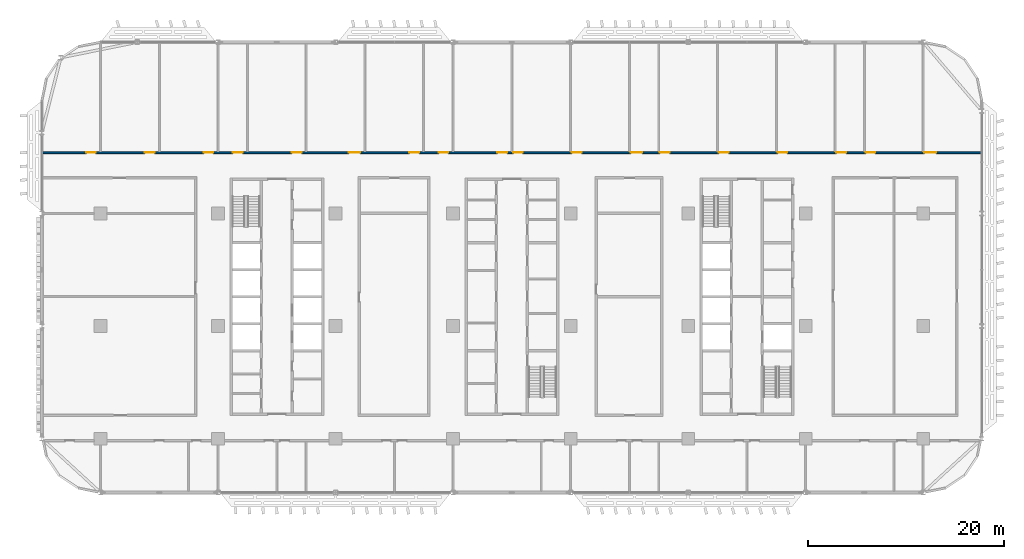
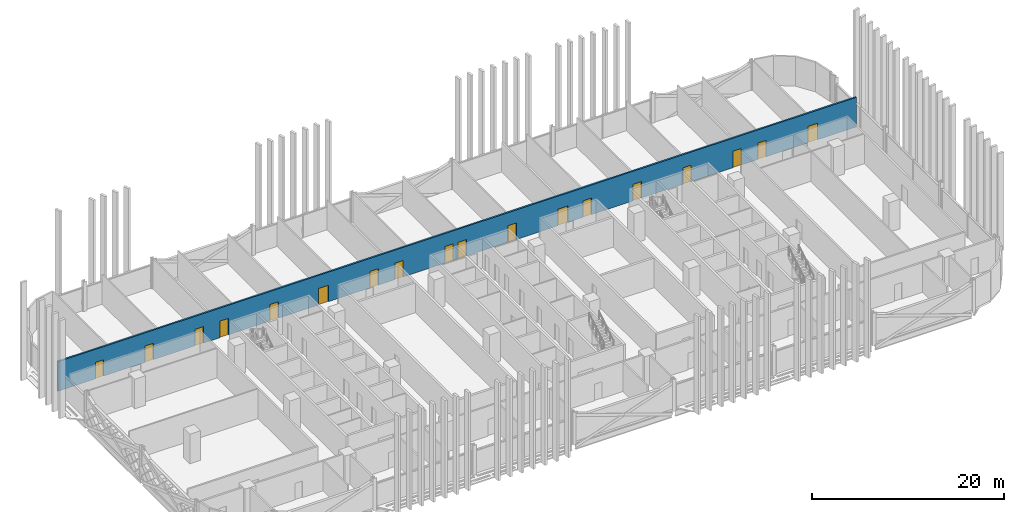
# One storey, part 16 of 32: 18 doors, 1 wall, 18 openings.
"""IFC4 building model written with IfcOpenShell, lengths in metres."""

from ifc_helpers import new_model, si_unit, direction, frame, frame_2d, origin, place, context, subcontext, project, spatial, rectangle, extrude, material, layer, layer_set, type_object, element, fill, save


model = new_model("IFC4")

# Units and contexts
model_context = context("Model", 3, precision=1e-05, world=origin(), true_north=direction((0.0, 1.0)))
body_context = subcontext(model_context, "Body", "Model", "MODEL_VIEW")
ifc_project = project(units=[si_unit("LENGTHUNIT", "METRE"), si_unit("AREAUNIT", "SQUARE_METRE"), si_unit("VOLUMEUNIT", "CUBIC_METRE"), si_unit("PLANEANGLEUNIT", "RADIAN"), si_unit("MASSUNIT", "GRAM", prefix="KILO")], contexts=[model_context])

# Site, building, storey
site_placement = place(None, origin())
site = spatial("IfcSite", under=ifc_project, at=site_placement, CompositionType="ELEMENT")
building_placement = place(site_placement, origin())
building = spatial("IfcBuilding", under=site, at=building_placement, Name="Mahtab Terrace Research Tower", CompositionType="ELEMENT")
storey_placement = place(building_placement, frame((0.0, 0.0, 138.39990234375)))
storey = spatial("IfcBuildingStorey", under=building, at=storey_placement, Name="L32", CompositionType="ELEMENT", Elevation=138.39990234375)

# Wall, openings, doors
ifc_material_1 = material(Name="Gypsum board corridor wall on steel studs", Category="steel")
ifc_layer = layer(ifc_material_1, 0.199951171875)
ifc_layer_set = layer_set([ifc_layer], Name="WALL CORRIDOR 200")
wall_type = type_object("IfcWallType", Name="WALL CORRIDOR 200", PredefinedType="PARTITIONING", material=ifc_layer_set)
wall_placement = place(storey_placement, frame((-47.97509765625, 17.699951171875, 0.0), z_axis=(0.0, 0.0, 1.0), x_axis=(1.0, 0.0, 0.0)))
wall = element("IfcWall", 1, at=wall_placement, inside=storey, type_object=wall_type, Name="L32-W026", PredefinedType="PARTITIONING", context=body_context, shape_type="SweptSolid", body=[
    extrude(rectangle(XDim=95.9501953125, YDim=0.199951171875, at=frame_2d((47.97509765625, 0.0))), origin(), (0.0, 0.0, 1.0), 3.760009765625),
])
opening_1_placement = place(wall_placement, frame((4.5, 0.0, 0.0)))
opening_1 = element("IfcOpeningElement", 2, at=opening_1_placement, cuts=wall, Name="Opening L32-129", PredefinedType="OPENING", context=body_context, shape_type="SweptSolid", body=[
    extrude(rectangle(XDim=1.0, YDim=2.10009765625, at=frame_2d((0.5, 1.050048828125))), frame((0.0, 0.10986328125, 0.0), z_axis=(0.0, -1.0, 0.0), x_axis=(1.0, 0.0, 0.0)), (0.0, 0.0, 1.0), 0.219970703125),
])
opening_2_placement = place(wall_placement, frame((10.5, 0.0, 0.0)))
opening_2 = element("IfcOpeningElement", 3, at=opening_2_placement, cuts=wall, Name="Opening L32-130", PredefinedType="OPENING", context=body_context, shape_type="SweptSolid", body=[
    extrude(rectangle(XDim=1.0, YDim=2.10009765625, at=frame_2d((0.5, 1.050048828125))), frame((0.0, 0.10986328125, 0.0), z_axis=(0.0, -1.0, 0.0), x_axis=(1.0, 0.0, 0.0)), (0.0, 0.0, 1.0), 0.219970703125),
])
opening_3_placement = place(wall_placement, frame((16.5, 0.0, 0.0)))
opening_3 = element("IfcOpeningElement", 4, at=opening_3_placement, cuts=wall, Name="Opening L32-131", PredefinedType="OPENING", context=body_context, shape_type="SweptSolid", body=[
    extrude(rectangle(XDim=1.0, YDim=2.10009765625, at=frame_2d((0.5, 1.050048828125))), frame((0.0, 0.10986328125, 0.0), z_axis=(0.0, -1.0, 0.0), x_axis=(1.0, 0.0, 0.0)), (0.0, 0.0, 1.0), 0.219970703125),
])
opening_4_placement = place(wall_placement, frame((19.5, 0.0, 0.0)))
opening_4 = element("IfcOpeningElement", 5, at=opening_4_placement, cuts=wall, Name="Opening L32-132", PredefinedType="OPENING", context=body_context, shape_type="SweptSolid", body=[
    extrude(rectangle(XDim=1.0, YDim=2.10009765625, at=frame_2d((0.5, 1.050048828125))), frame((0.0, 0.10986328125, 0.0), z_axis=(0.0, -1.0, 0.0), x_axis=(1.0, 0.0, 0.0)), (0.0, 0.0, 1.0), 0.219970703125),
])
opening_5_placement = place(wall_placement, frame((25.5, 0.0, 0.0)))
opening_5 = element("IfcOpeningElement", 6, at=opening_5_placement, cuts=wall, Name="Opening L32-133", PredefinedType="OPENING", context=body_context, shape_type="SweptSolid", body=[
    extrude(rectangle(XDim=1.0, YDim=2.10009765625, at=frame_2d((0.5, 1.050048828125))), frame((0.0, 0.10986328125, 0.0), z_axis=(0.0, -1.0, 0.0), x_axis=(1.0, 0.0, 0.0)), (0.0, 0.0, 1.0), 0.219970703125),
])
opening_6_placement = place(wall_placement, frame((31.300048828125, 0.0, 0.0)))
opening_6 = element("IfcOpeningElement", 7, at=opening_6_placement, cuts=wall, Name="Opening L32-134", PredefinedType="OPENING", context=body_context, shape_type="SweptSolid", body=[
    extrude(rectangle(XDim=1.199951171875, YDim=2.10009765625, at=frame_2d((0.60009765625, 1.050048828125))), frame((0.0, 0.10986328125, 0.0), z_axis=(0.0, -1.0, 0.0), x_axis=(1.0, 0.0, 0.0)), (0.0, 0.0, 1.0), 0.219970703125),
])
opening_7_placement = place(wall_placement, frame((37.5, 0.0, 0.0)))
opening_7 = element("IfcOpeningElement", 8, at=opening_7_placement, cuts=wall, Name="Opening L32-135", PredefinedType="OPENING", context=body_context, shape_type="SweptSolid", body=[
    extrude(rectangle(XDim=1.0, YDim=2.10009765625, at=frame_2d((0.5, 1.050048828125))), frame((0.0, 0.10986328125, 0.0), z_axis=(0.0, -1.0, 0.0), x_axis=(1.0, 0.0, 0.0)), (0.0, 0.0, 1.0), 0.219970703125),
])
opening_8_placement = place(wall_placement, frame((40.5, 0.0, 0.0)))
opening_8 = element("IfcOpeningElement", 9, at=opening_8_placement, cuts=wall, Name="Opening L32-136", PredefinedType="OPENING", context=body_context, shape_type="SweptSolid", body=[
    extrude(rectangle(XDim=1.0, YDim=2.10009765625, at=frame_2d((0.5, 1.050048828125))), frame((0.0, 0.10986328125, 0.0), z_axis=(0.0, -1.0, 0.0), x_axis=(1.0, 0.0, 0.0)), (0.0, 0.0, 1.0), 0.219970703125),
])
opening_9_placement = place(wall_placement, frame((46.5, 0.0, 0.0)))
opening_9 = element("IfcOpeningElement", 10, at=opening_9_placement, cuts=wall, Name="Opening L32-137", PredefinedType="OPENING", context=body_context, shape_type="SweptSolid", body=[
    extrude(rectangle(XDim=1.0, YDim=2.10009765625, at=frame_2d((0.5, 1.050048828125))), frame((0.0, 0.10986328125, 0.0), z_axis=(0.0, -1.0, 0.0), x_axis=(1.0, 0.0, 0.0)), (0.0, 0.0, 1.0), 0.219970703125),
])
opening_10_placement = place(wall_placement, frame((48.10009765625, 0.0, 0.0)))
opening_10 = element("IfcOpeningElement", 11, at=opening_10_placement, cuts=wall, Name="Opening L32-138", PredefinedType="OPENING", context=body_context, shape_type="SweptSolid", body=[
    extrude(rectangle(XDim=1.0, YDim=2.10009765625, at=frame_2d((0.5, 1.050048828125))), frame((0.0, 0.10986328125, 0.0), z_axis=(0.0, -1.0, 0.0), x_axis=(1.0, 0.0, 0.0)), (0.0, 0.0, 1.0), 0.219970703125),
])
opening_11_placement = place(wall_placement, frame((54.10009765625, 0.0, 0.0)))
opening_11 = element("IfcOpeningElement", 12, at=opening_11_placement, cuts=wall, Name="Opening L32-139", PredefinedType="OPENING", context=body_context, shape_type="SweptSolid", body=[
    extrude(rectangle(XDim=1.0, YDim=2.10009765625, at=frame_2d((0.5, 1.050048828125))), frame((0.0, 0.10986328125, 0.0), z_axis=(0.0, -1.0, 0.0), x_axis=(1.0, 0.0, 0.0)), (0.0, 0.0, 1.0), 0.219970703125),
])
opening_12_placement = place(wall_placement, frame((60.10009765625, 0.0, 0.0)))
opening_12 = element("IfcOpeningElement", 13, at=opening_12_placement, cuts=wall, Name="Opening L32-140", PredefinedType="OPENING", context=body_context, shape_type="SweptSolid", body=[
    extrude(rectangle(XDim=1.199951171875, YDim=2.10009765625, at=frame_2d((0.60009765625, 1.050048828125))), frame((0.0, 0.10986328125, 0.0), z_axis=(0.0, -1.0, 0.0), x_axis=(1.0, 0.0, 0.0)), (0.0, 0.0, 1.0), 0.219970703125),
])
opening_13_placement = place(wall_placement, frame((63.10009765625, 0.0, 0.0)))
opening_13 = element("IfcOpeningElement", 14, at=opening_13_placement, cuts=wall, Name="Opening L32-141", PredefinedType="OPENING", context=body_context, shape_type="SweptSolid", body=[
    extrude(rectangle(XDim=1.0, YDim=2.10009765625, at=frame_2d((0.5, 1.050048828125))), frame((0.0, 0.10986328125, 0.0), z_axis=(0.0, -1.0, 0.0), x_axis=(1.0, 0.0, 0.0)), (0.0, 0.0, 1.0), 0.219970703125),
])
opening_14_placement = place(wall_placement, frame((69.10009765625, 0.0, 0.0)))
opening_14 = element("IfcOpeningElement", 15, at=opening_14_placement, cuts=wall, Name="Opening L32-142", PredefinedType="OPENING", context=body_context, shape_type="SweptSolid", body=[
    extrude(rectangle(XDim=1.0, YDim=2.10009765625, at=frame_2d((0.5, 1.050048828125))), frame((0.0, 0.10986328125, 0.0), z_axis=(0.0, -1.0, 0.0), x_axis=(1.0, 0.0, 0.0)), (0.0, 0.0, 1.0), 0.219970703125),
])
opening_15_placement = place(wall_placement, frame((75.10009765625, 0.0, 0.0)))
opening_15 = element("IfcOpeningElement", 16, at=opening_15_placement, cuts=wall, Name="Opening L32-143", PredefinedType="OPENING", context=body_context, shape_type="SweptSolid", body=[
    extrude(rectangle(XDim=1.0, YDim=2.10009765625, at=frame_2d((0.5, 1.050048828125))), frame((0.0, 0.10986328125, 0.0), z_axis=(0.0, -1.0, 0.0), x_axis=(1.0, 0.0, 0.0)), (0.0, 0.0, 1.0), 0.219970703125),
])
opening_16_placement = place(wall_placement, frame((81.10009765625, 0.0, 0.0)))
opening_16 = element("IfcOpeningElement", 17, at=opening_16_placement, cuts=wall, Name="Opening L32-144", PredefinedType="OPENING", context=body_context, shape_type="SweptSolid", body=[
    extrude(rectangle(XDim=1.0, YDim=2.10009765625, at=frame_2d((0.5, 1.050048828125))), frame((0.0, 0.10986328125, 0.0), z_axis=(0.0, -1.0, 0.0), x_axis=(1.0, 0.0, 0.0)), (0.0, 0.0, 1.0), 0.219970703125),
])
opening_17_placement = place(wall_placement, frame((84.10009765625, 0.0, 0.0)))
opening_17 = element("IfcOpeningElement", 18, at=opening_17_placement, cuts=wall, Name="Opening L32-145", PredefinedType="OPENING", context=body_context, shape_type="SweptSolid", body=[
    extrude(rectangle(XDim=1.0, YDim=2.10009765625, at=frame_2d((0.5, 1.050048828125))), frame((0.0, 0.10986328125, 0.0), z_axis=(0.0, -1.0, 0.0), x_axis=(1.0, 0.0, 0.0)), (0.0, 0.0, 1.0), 0.219970703125),
])
opening_18_placement = place(wall_placement, frame((90.10009765625, 0.0, 0.0)))
opening_18 = element("IfcOpeningElement", 19, at=opening_18_placement, cuts=wall, Name="Opening L32-146", PredefinedType="OPENING", context=body_context, shape_type="SweptSolid", body=[
    extrude(rectangle(XDim=1.199951171875, YDim=2.10009765625, at=frame_2d((0.60009765625, 1.050048828125))), frame((0.0, 0.10986328125, 0.0), z_axis=(0.0, -1.0, 0.0), x_axis=(1.0, 0.0, 0.0)), (0.0, 0.0, 1.0), 0.219970703125),
])
ifc_material_2 = material(Name="Timber door leaf in steel frame", Category="steel")
door_type_1 = type_object("IfcDoorType", Name="DOOR 1000X2100 FD30S", OperationType="SINGLE_SWING_LEFT", PredefinedType="DOOR", material=ifc_material_2)
door_1_placement = place(opening_1_placement, origin())
door_1 = element("IfcDoor", 20, at=door_1_placement, inside=storey, type_object=door_type_1, Name="Door L32-129", OperationType="SINGLE_SWING_LEFT", OverallHeight=2.10009765625, OverallWidth=1.0, PredefinedType="DOOR", context=body_context, shape_type="SweptSolid", body=[
    extrude(rectangle(XDim=1.0, YDim=2.10009765625, at=frame_2d((0.5, 1.050048828125))), frame((0.0, 0.02490234375, 0.0), z_axis=(0.0, -1.0, 0.0), x_axis=(1.0, 0.0, 0.0)), (0.0, 0.0, 1.0), 0.050048828125),
])
fill(opening_1, door_1)
door_2_placement = place(opening_2_placement, origin())
door_2 = element("IfcDoor", 21, at=door_2_placement, inside=storey, type_object=door_type_1, Name="Door L32-130", OperationType="SINGLE_SWING_LEFT", OverallHeight=2.10009765625, OverallWidth=1.0, PredefinedType="DOOR", context=body_context, shape_type="SweptSolid", body=[
    extrude(rectangle(XDim=1.0, YDim=2.10009765625, at=frame_2d((0.5, 1.050048828125))), frame((0.0, 0.02490234375, 0.0), z_axis=(0.0, -1.0, 0.0), x_axis=(1.0, 0.0, 0.0)), (0.0, 0.0, 1.0), 0.050048828125),
])
fill(opening_2, door_2)
door_3_placement = place(opening_3_placement, origin())
door_3 = element("IfcDoor", 22, at=door_3_placement, inside=storey, type_object=door_type_1, Name="Door L32-131", OperationType="SINGLE_SWING_LEFT", OverallHeight=2.10009765625, OverallWidth=1.0, PredefinedType="DOOR", context=body_context, shape_type="SweptSolid", body=[
    extrude(rectangle(XDim=1.0, YDim=2.10009765625, at=frame_2d((0.5, 1.050048828125))), frame((0.0, 0.02490234375, 0.0), z_axis=(0.0, -1.0, 0.0), x_axis=(1.0, 0.0, 0.0)), (0.0, 0.0, 1.0), 0.050048828125),
])
fill(opening_3, door_3)
door_4_placement = place(opening_4_placement, origin())
door_4 = element("IfcDoor", 23, at=door_4_placement, inside=storey, type_object=door_type_1, Name="Door L32-132", OperationType="SINGLE_SWING_LEFT", OverallHeight=2.10009765625, OverallWidth=1.0, PredefinedType="DOOR", context=body_context, shape_type="SweptSolid", body=[
    extrude(rectangle(XDim=1.0, YDim=2.10009765625, at=frame_2d((0.5, 1.050048828125))), frame((0.0, 0.02490234375, 0.0), z_axis=(0.0, -1.0, 0.0), x_axis=(1.0, 0.0, 0.0)), (0.0, 0.0, 1.0), 0.050048828125),
])
fill(opening_4, door_4)
door_5_placement = place(opening_5_placement, origin())
door_5 = element("IfcDoor", 24, at=door_5_placement, inside=storey, type_object=door_type_1, Name="Door L32-133", OperationType="SINGLE_SWING_LEFT", OverallHeight=2.10009765625, OverallWidth=1.0, PredefinedType="DOOR", context=body_context, shape_type="SweptSolid", body=[
    extrude(rectangle(XDim=1.0, YDim=2.10009765625, at=frame_2d((0.5, 1.050048828125))), frame((0.0, 0.02490234375, 0.0), z_axis=(0.0, -1.0, 0.0), x_axis=(1.0, 0.0, 0.0)), (0.0, 0.0, 1.0), 0.050048828125),
])
fill(opening_5, door_5)
door_6_placement = place(opening_7_placement, origin())
door_6 = element("IfcDoor", 25, at=door_6_placement, inside=storey, type_object=door_type_1, Name="Door L32-135", OperationType="SINGLE_SWING_LEFT", OverallHeight=2.10009765625, OverallWidth=1.0, PredefinedType="DOOR", context=body_context, shape_type="SweptSolid", body=[
    extrude(rectangle(XDim=1.0, YDim=2.10009765625, at=frame_2d((0.5, 1.050048828125))), frame((0.0, 0.02490234375, 0.0), z_axis=(0.0, -1.0, 0.0), x_axis=(1.0, 0.0, 0.0)), (0.0, 0.0, 1.0), 0.050048828125),
])
fill(opening_7, door_6)
door_7_placement = place(opening_8_placement, origin())
door_7 = element("IfcDoor", 26, at=door_7_placement, inside=storey, type_object=door_type_1, Name="Door L32-136", OperationType="SINGLE_SWING_LEFT", OverallHeight=2.10009765625, OverallWidth=1.0, PredefinedType="DOOR", context=body_context, shape_type="SweptSolid", body=[
    extrude(rectangle(XDim=1.0, YDim=2.10009765625, at=frame_2d((0.5, 1.050048828125))), frame((0.0, 0.02490234375, 0.0), z_axis=(0.0, -1.0, 0.0), x_axis=(1.0, 0.0, 0.0)), (0.0, 0.0, 1.0), 0.050048828125),
])
fill(opening_8, door_7)
door_8_placement = place(opening_9_placement, origin())
door_8 = element("IfcDoor", 27, at=door_8_placement, inside=storey, type_object=door_type_1, Name="Door L32-137", OperationType="SINGLE_SWING_LEFT", OverallHeight=2.10009765625, OverallWidth=1.0, PredefinedType="DOOR", context=body_context, shape_type="SweptSolid", body=[
    extrude(rectangle(XDim=1.0, YDim=2.10009765625, at=frame_2d((0.5, 1.050048828125))), frame((0.0, 0.02490234375, 0.0), z_axis=(0.0, -1.0, 0.0), x_axis=(1.0, 0.0, 0.0)), (0.0, 0.0, 1.0), 0.050048828125),
])
fill(opening_9, door_8)
door_9_placement = place(opening_10_placement, origin())
door_9 = element("IfcDoor", 28, at=door_9_placement, inside=storey, type_object=door_type_1, Name="Door L32-138", OperationType="SINGLE_SWING_RIGHT", OverallHeight=2.10009765625, OverallWidth=1.0, PredefinedType="DOOR", context=body_context, shape_type="SweptSolid", body=[
    extrude(rectangle(XDim=1.0, YDim=2.10009765625, at=frame_2d((0.5, 1.050048828125))), frame((0.0, 0.02490234375, 0.0), z_axis=(0.0, -1.0, 0.0), x_axis=(1.0, 0.0, 0.0)), (0.0, 0.0, 1.0), 0.050048828125),
])
fill(opening_10, door_9)
door_10_placement = place(opening_11_placement, origin())
door_10 = element("IfcDoor", 29, at=door_10_placement, inside=storey, type_object=door_type_1, Name="Door L32-139", OperationType="SINGLE_SWING_RIGHT", OverallHeight=2.10009765625, OverallWidth=1.0, PredefinedType="DOOR", context=body_context, shape_type="SweptSolid", body=[
    extrude(rectangle(XDim=1.0, YDim=2.10009765625, at=frame_2d((0.5, 1.050048828125))), frame((0.0, 0.02490234375, 0.0), z_axis=(0.0, -1.0, 0.0), x_axis=(1.0, 0.0, 0.0)), (0.0, 0.0, 1.0), 0.050048828125),
])
fill(opening_11, door_10)
door_11_placement = place(opening_13_placement, origin())
door_11 = element("IfcDoor", 30, at=door_11_placement, inside=storey, type_object=door_type_1, Name="Door L32-141", OperationType="SINGLE_SWING_RIGHT", OverallHeight=2.10009765625, OverallWidth=1.0, PredefinedType="DOOR", context=body_context, shape_type="SweptSolid", body=[
    extrude(rectangle(XDim=1.0, YDim=2.10009765625, at=frame_2d((0.5, 1.050048828125))), frame((0.0, 0.02490234375, 0.0), z_axis=(0.0, -1.0, 0.0), x_axis=(1.0, 0.0, 0.0)), (0.0, 0.0, 1.0), 0.050048828125),
])
fill(opening_13, door_11)
door_12_placement = place(opening_14_placement, origin())
door_12 = element("IfcDoor", 31, at=door_12_placement, inside=storey, type_object=door_type_1, Name="Door L32-142", OperationType="SINGLE_SWING_RIGHT", OverallHeight=2.10009765625, OverallWidth=1.0, PredefinedType="DOOR", context=body_context, shape_type="SweptSolid", body=[
    extrude(rectangle(XDim=1.0, YDim=2.10009765625, at=frame_2d((0.5, 1.050048828125))), frame((0.0, 0.02490234375, 0.0), z_axis=(0.0, -1.0, 0.0), x_axis=(1.0, 0.0, 0.0)), (0.0, 0.0, 1.0), 0.050048828125),
])
fill(opening_14, door_12)
door_13_placement = place(opening_15_placement, origin())
door_13 = element("IfcDoor", 32, at=door_13_placement, inside=storey, type_object=door_type_1, Name="Door L32-143", OperationType="SINGLE_SWING_RIGHT", OverallHeight=2.10009765625, OverallWidth=1.0, PredefinedType="DOOR", context=body_context, shape_type="SweptSolid", body=[
    extrude(rectangle(XDim=1.0, YDim=2.10009765625, at=frame_2d((0.5, 1.050048828125))), frame((0.0, 0.02490234375, 0.0), z_axis=(0.0, -1.0, 0.0), x_axis=(1.0, 0.0, 0.0)), (0.0, 0.0, 1.0), 0.050048828125),
])
fill(opening_15, door_13)
door_14_placement = place(opening_16_placement, origin())
door_14 = element("IfcDoor", 33, at=door_14_placement, inside=storey, type_object=door_type_1, Name="Door L32-144", OperationType="SINGLE_SWING_RIGHT", OverallHeight=2.10009765625, OverallWidth=1.0, PredefinedType="DOOR", context=body_context, shape_type="SweptSolid", body=[
    extrude(rectangle(XDim=1.0, YDim=2.10009765625, at=frame_2d((0.5, 1.050048828125))), frame((0.0, 0.02490234375, 0.0), z_axis=(0.0, -1.0, 0.0), x_axis=(1.0, 0.0, 0.0)), (0.0, 0.0, 1.0), 0.050048828125),
])
fill(opening_16, door_14)
door_15_placement = place(opening_17_placement, origin())
door_15 = element("IfcDoor", 34, at=door_15_placement, inside=storey, type_object=door_type_1, Name="Door L32-145", OperationType="SINGLE_SWING_RIGHT", OverallHeight=2.10009765625, OverallWidth=1.0, PredefinedType="DOOR", context=body_context, shape_type="SweptSolid", body=[
    extrude(rectangle(XDim=1.0, YDim=2.10009765625, at=frame_2d((0.5, 1.050048828125))), frame((0.0, 0.02490234375, 0.0), z_axis=(0.0, -1.0, 0.0), x_axis=(1.0, 0.0, 0.0)), (0.0, 0.0, 1.0), 0.050048828125),
])
fill(opening_17, door_15)
door_type_2 = type_object("IfcDoorType", Name="DOOR 1200X2100 FD30S", OperationType="SINGLE_SWING_LEFT", PredefinedType="DOOR", material=ifc_material_2)
door_16_placement = place(opening_6_placement, origin())
door_16 = element("IfcDoor", 35, at=door_16_placement, inside=storey, type_object=door_type_2, Name="Door L32-134", OperationType="SINGLE_SWING_LEFT", OverallHeight=2.10009765625, OverallWidth=1.199951171875, PredefinedType="DOOR", context=body_context, shape_type="SweptSolid", body=[
    extrude(rectangle(XDim=1.199951171875, YDim=2.10009765625, at=frame_2d((0.60009765625, 1.050048828125))), frame((0.0, 0.02490234375, 0.0), z_axis=(0.0, -1.0, 0.0), x_axis=(1.0, 0.0, 0.0)), (0.0, 0.0, 1.0), 0.050048828125),
])
fill(opening_6, door_16)
door_17_placement = place(opening_12_placement, origin())
door_17 = element("IfcDoor", 36, at=door_17_placement, inside=storey, type_object=door_type_2, Name="Door L32-140", OperationType="SINGLE_SWING_RIGHT", OverallHeight=2.10009765625, OverallWidth=1.199951171875, PredefinedType="DOOR", context=body_context, shape_type="SweptSolid", body=[
    extrude(rectangle(XDim=1.199951171875, YDim=2.10009765625, at=frame_2d((0.60009765625, 1.050048828125))), frame((0.0, 0.02490234375, 0.0), z_axis=(0.0, -1.0, 0.0), x_axis=(1.0, 0.0, 0.0)), (0.0, 0.0, 1.0), 0.050048828125),
])
fill(opening_12, door_17)
door_18_placement = place(opening_18_placement, origin())
door_18 = element("IfcDoor", 37, at=door_18_placement, inside=storey, type_object=door_type_2, Name="Door L32-146", OperationType="SINGLE_SWING_RIGHT", OverallHeight=2.10009765625, OverallWidth=1.199951171875, PredefinedType="DOOR", context=body_context, shape_type="SweptSolid", body=[
    extrude(rectangle(XDim=1.199951171875, YDim=2.10009765625, at=frame_2d((0.60009765625, 1.050048828125))), frame((0.0, 0.02490234375, 0.0), z_axis=(0.0, -1.0, 0.0), x_axis=(1.0, 0.0, 0.0)), (0.0, 0.0, 1.0), 0.050048828125),
])
fill(opening_18, door_18)

save(model, "model.ifc")
